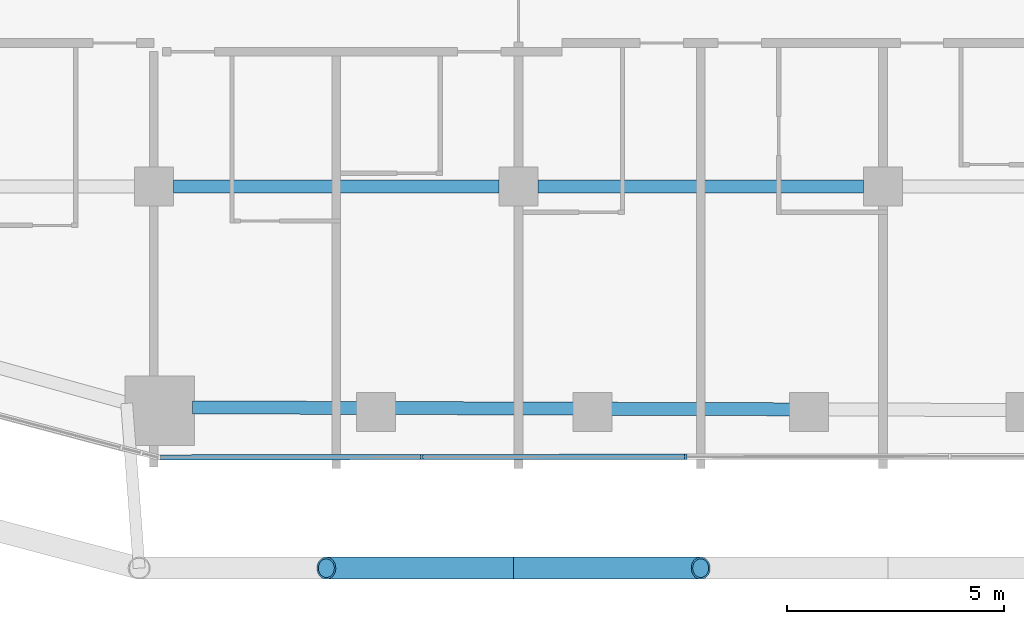
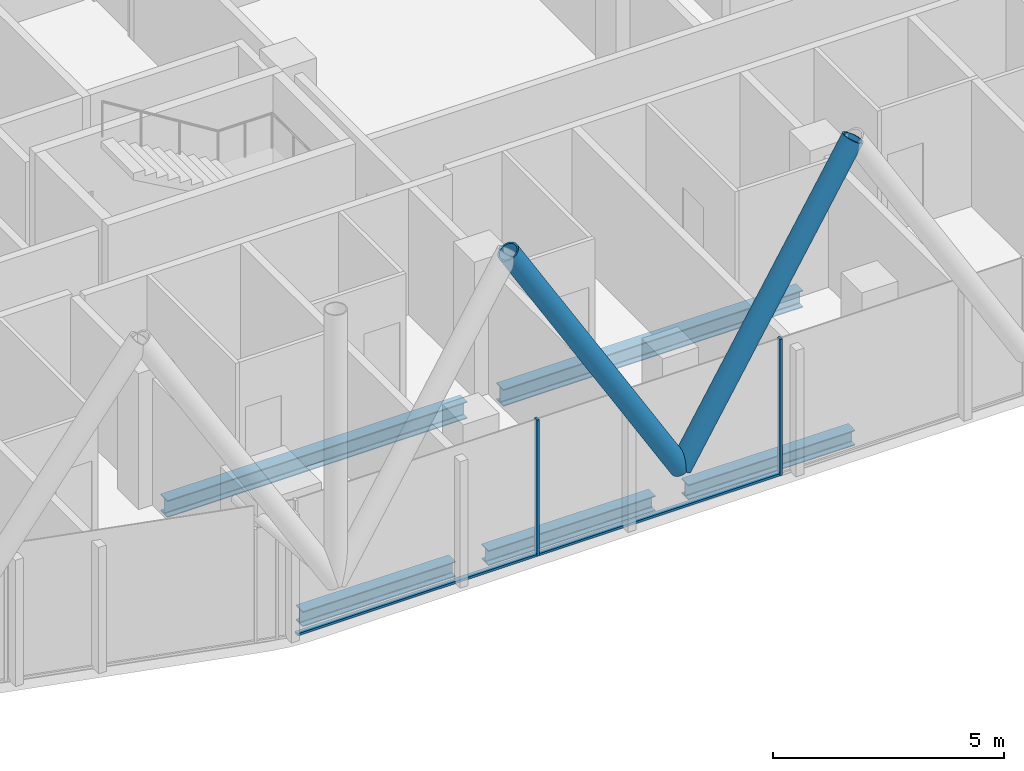
# One storey, part 3 of 33: 6 members, 5 beams, 1 element without a shape of its own.
"""IFC4 building model written with IfcOpenShell, lengths in metres."""

from ifc_helpers import new_model, si_unit, direction, frame, origin, origin_2d, place, context, subcontext, project, spatial, rectangle, hollow_circle, i_section, extrude, material, layer, layer_set, material_profile, profile_set, type_object, element, aggregate, save


model = new_model("IFC4")

# Units and contexts
model_context = context("Model", 3, precision=1e-05, world=origin(), true_north=direction((0.0, 1.0)))
body_context = subcontext(model_context, "Body", "Model", "MODEL_VIEW")
ifc_project = project(units=[si_unit("LENGTHUNIT", "METRE"), si_unit("AREAUNIT", "SQUARE_METRE"), si_unit("VOLUMEUNIT", "CUBIC_METRE"), si_unit("PLANEANGLEUNIT", "RADIAN"), si_unit("MASSUNIT", "GRAM", prefix="KILO")], contexts=[model_context])

# Site, building, storey
site_placement = place(None, origin())
site = spatial("IfcSite", under=ifc_project, at=site_placement, CompositionType="ELEMENT")
building_placement = place(site_placement, origin())
building = spatial("IfcBuilding", under=site, at=building_placement, Name="Marenta Gate Hotel Tower", CompositionType="ELEMENT")
storey_placement = place(building_placement, frame((0.0, 0.0, 108.5)))
storey = spatial("IfcBuildingStorey", under=building, at=storey_placement, Name="L23", CompositionType="ELEMENT", Elevation=108.5)

# Members
ifc_material_1 = material(Name="Steel S355J2W", Category="steel")
ifc_material_profile_1 = material_profile(ifc_material_1, hollow_circle(Radius=0.25390625, WallThickness=0.0400390625, at=origin_2d()), Name="CHS 508x40")
ifc_profile_set_1 = profile_set([ifc_material_profile_1], Name="Steel S355J2W")
member_type_1 = type_object("IfcMemberType", Name="Diagrid diagonal Z2 CHS 508x40", PredefinedType="BRACE", material=ifc_profile_set_1)
for number, where, z_axis, x_axis, name in (
    (1, (-4.31298828125, -25.60009765625, 3.139892578125), (0.513871079492, 0.0, 0.857867421961), (0.0, 1.0, 0.0), "L23-DG-18"),
    (2, (-4.31298828125, -25.60009765625, 3.139892578125), (-0.513871079492, 0.0, 0.857867421961), (0.0, -1.0, 0.0), "L23-DG-19"),
):
    element("IfcMember", number, at=place(storey_placement, frame(where, z_axis=z_axis, x_axis=x_axis)), inside=storey, type_object=member_type_1, Name=name, PredefinedType="BRACE", context=body_context, shape_type="SweptSolid", body=[
        extrude(hollow_circle(Radius=0.25390625, WallThickness=0.0400390625, at=origin_2d()), origin(), (0.0, 0.0, 1.0), 8.39306640625),
    ])

# Beams
ifc_material_2 = material(Name="Steel S355", Category="steel")
ifc_material_profile_2 = material_profile(ifc_material_2, i_section(OverallWidth=0.300048828125, OverallDepth=0.39990234375, WebThickness=0.013427734375, FlangeThickness=0.02392578125, FilletRadius=0.027099609375, at=origin_2d()), Name="HEB 400")
ifc_profile_set_2 = profile_set([ifc_material_profile_2], Name="Steel S355")
beam_type_1 = type_object("IfcBeamType", Name="Edge beam HEB 400", PredefinedType="SPANDREL", material=ifc_profile_set_2)
beam_1_placement = place(storey_placement, frame((2.08349609375, -21.939453125, -0.4599609375), z_axis=(-0.999994808095, 0.003222387769, 0.0), x_axis=(-0.003222387769, -0.999994808095, 0.0)))
element("IfcBeam", 3, at=beam_1_placement, inside=storey, type_object=beam_type_1, Name="L23-EB-34", PredefinedType="SPANDREL", context=body_context, shape_type="SweptSolid", body=[
    extrude(i_section(OverallWidth=0.300048828125, OverallDepth=0.39990234375, WebThickness=0.013427734375, FlangeThickness=0.02392578125, FilletRadius=0.027099609375, at=origin_2d()), origin(), (0.0, 0.0, 1.0), 4.1669921875),
])
beam_2_placement = place(storey_placement, frame((-2.9033203125, -21.92333984375, -0.4599609375), z_axis=(-0.999994807487, 0.003222576575, 0.0), x_axis=(-0.003222576575, -0.999994807487, 0.0)))
element("IfcBeam", 4, at=beam_2_placement, inside=storey, type_object=beam_type_1, Name="L23-EB-35", PredefinedType="SPANDREL", context=body_context, shape_type="SweptSolid", body=[
    extrude(i_section(OverallWidth=0.300048828125, OverallDepth=0.39990234375, WebThickness=0.013427734375, FlangeThickness=0.02392578125, FilletRadius=0.027099609375, at=origin_2d()), origin(), (0.0, 0.0, 1.0), 4.166748046875),
])
beam_3_placement = place(storey_placement, frame((-7.89013671875, -21.907470703125, -0.4599609375), z_axis=(-0.999994677283, 0.003262729738, 0.0), x_axis=(-0.003262729738, -0.999994677283, 0.0)))
element("IfcBeam", 5, at=beam_3_placement, inside=storey, type_object=beam_type_1, Name="L23-EB-36", PredefinedType="SPANDREL", context=body_context, shape_type="SweptSolid", body=[
    extrude(i_section(OverallWidth=0.300048828125, OverallDepth=0.39990234375, WebThickness=0.013427734375, FlangeThickness=0.02392578125, FilletRadius=0.027099609375, at=origin_2d()), origin(), (0.0, 0.0, 1.0), 3.816162109375),
])
ifc_material_3 = material(Name="Steel S355", Category="steel")
ifc_material_profile_3 = material_profile(ifc_material_3, i_section(OverallWidth=0.300048828125, OverallDepth=0.449951171875, WebThickness=0.013916015625, FlangeThickness=0.02587890625, FilletRadius=0.027099609375, at=origin_2d()), Name="HEB 450")
ifc_profile_set_3 = profile_set([ifc_material_profile_3], Name="Steel S355")
beam_type_2 = type_object("IfcBeamType", Name="Girder HEB 450", PredefinedType="BEAM", material=ifc_profile_set_3)
for number, where, z_axis, x_axis, name in (
    (6, (-12.14990234375, -16.800048828125, -0.485107421875), (1.0, 0.0, 0.0), (0.0, 1.0, 0.0), "L23-GD-3"),
    (7, (-3.75, -16.800048828125, -0.485107421875), (1.0, 0.0, 0.0), (0.0, 1.0, 0.0), "L23-GD-4"),
):
    element("IfcBeam", number, at=place(storey_placement, frame(where, z_axis=z_axis, x_axis=x_axis)), inside=storey, type_object=beam_type_2, Name=name, PredefinedType="BEAM", context=body_context, shape_type="SweptSolid", body=[
        extrude(i_section(OverallWidth=0.300048828125, OverallDepth=0.449951171875, WebThickness=0.013916015625, FlangeThickness=0.02587890625, FilletRadius=0.027099609375, at=origin_2d()), origin(), (0.0, 0.0, 1.0), 7.5),
    ])

# Curtain wall, members
ifc_material_4 = material(Name="Tinted insulated glass in bronze anodised frame", Category="glass")
ifc_layer = layer(ifc_material_4, 0.1201171875)
ifc_layer_set = layer_set([ifc_layer], Name="Tinted insulated glass in bronze anodised frame")
curtain_wall_type = type_object("IfcCurtainWallType", Name="Tower unitised curtain wall CW1", PredefinedType="NOTDEFINED", material=ifc_layer_set)
curtain_wall_placement = place(storey_placement, origin())
curtain_wall = element("IfcCurtainWall", 8, at=curtain_wall_placement, inside=storey, type_object=curtain_wall_type, Name="CW1 run G12", PredefinedType="NOTDEFINED")
ifc_material_5 = material(Name="Bronze anodised aluminium", Category="aluminium")
ifc_material_profile_4 = material_profile(ifc_material_5, rectangle(XDim=0.1201171875, YDim=0.06005859375, at=origin_2d()), Name="Mullion CW1 60x120 bronze anodised aluminium")
ifc_profile_set_4 = profile_set([ifc_material_profile_4], Name="Bronze anodised aluminium")
member_type_2 = type_object("IfcMemberType", Name="Mullion CW1 60x120 bronze anodised aluminium", PredefinedType="MULLION", material=ifc_profile_set_4)
member_1_placement = place(storey_placement, frame((-6.424072265625, -23.039306640625, 0.0), z_axis=(0.0, 0.0, 1.0), x_axis=(-0.00136470383, 0.999999068791, 0.0)))
member_1 = element("IfcMember", 9, at=member_1_placement, type_object=member_type_2, Name="CW1 mullion 2", PredefinedType="MULLION", context=body_context, shape_type="SweptSolid", body=[
    extrude(rectangle(XDim=0.1201171875, YDim=0.06005859375, at=origin_2d()), origin(), (0.0, 0.0, 1.0), 3.60009765625),
])
member_2_placement = place(storey_placement, frame((-0.342041015625, -23.031005859375, 0.0), z_axis=(0.0, 0.0, 1.0), x_axis=(-0.00136470383, 0.999999068791, 0.0)))
member_2 = element("IfcMember", 10, at=member_2_placement, type_object=member_type_2, Name="CW1 mullion 3", PredefinedType="MULLION", context=body_context, shape_type="SweptSolid", body=[
    extrude(rectangle(XDim=0.1201171875, YDim=0.06005859375, at=origin_2d()), origin(), (0.0, 0.0, 1.0), 3.60009765625),
])
ifc_material_6 = material(Name="Bronze anodised aluminium", Category="aluminium")
ifc_material_profile_5 = material_profile(ifc_material_6, rectangle(XDim=0.1201171875, YDim=0.06005859375, at=origin_2d()), Name="Transom CW1 60x120 bronze anodised aluminium")
ifc_profile_set_5 = profile_set([ifc_material_profile_5], Name="Bronze anodised aluminium")
member_type_3 = type_object("IfcMemberType", Name="Transom CW1 60x120 bronze anodised aluminium", PredefinedType="USERDEFINED", material=ifc_profile_set_5)
member_3_placement = place(storey_placement, frame((-12.44580078125, -23.04736328125, 0.030029296875), z_axis=(0.999999095981, 0.001344632474, 0.0), x_axis=(-0.001344632474, 0.999999095981, 0.0)))
member_3 = element("IfcMember", 11, at=member_3_placement, type_object=member_type_3, Name="CW1 transom 1.1", ObjectType="TRANSOM", PredefinedType="USERDEFINED", context=body_context, shape_type="SweptSolid", body=[
    extrude(rectangle(XDim=0.1201171875, YDim=0.06005859375, at=origin_2d()), origin(), (0.0, 0.0, 1.0), 5.99169921875),
])
member_4_placement = place(storey_placement, frame((-6.39404296875, -23.0390625, 0.030029296875), z_axis=(0.999999105048, 0.001337872799, 0.0), x_axis=(-0.001337872799, 0.999999105048, 0.0)))
member_4 = element("IfcMember", 12, at=member_4_placement, type_object=member_type_3, Name="CW1 transom 2.1", ObjectType="TRANSOM", PredefinedType="USERDEFINED", context=body_context, shape_type="SweptSolid", body=[
    extrude(rectangle(XDim=0.1201171875, YDim=0.06005859375, at=origin_2d()), origin(), (0.0, 0.0, 1.0), 6.02197265625),
])
aggregate(curtain_wall, [member_1, member_2, member_3, member_4])

save(model, "model.ifc")
